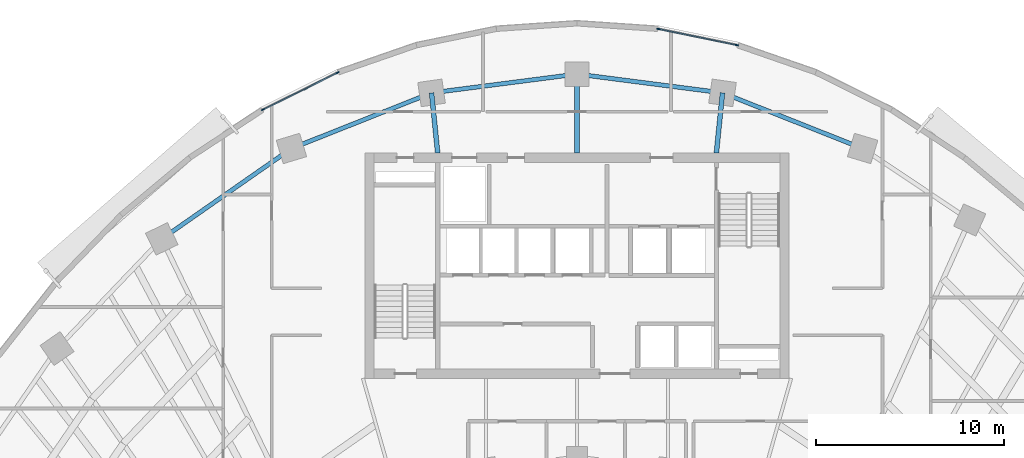
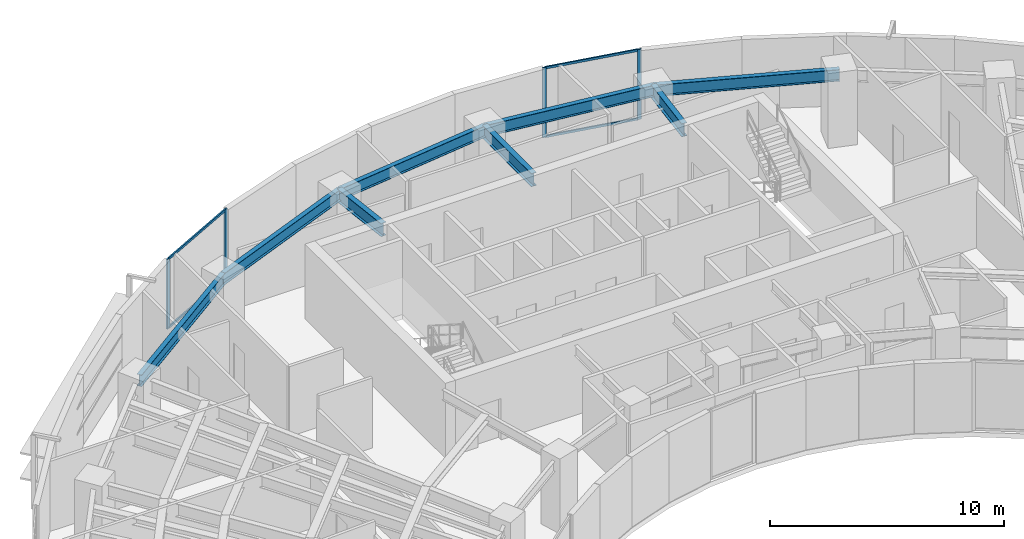
# One storey, part 5 of 14: 8 beams, 8 members, 2 elements without a shape of their own.
"""IFC4 building model written with IfcOpenShell, lengths in metres."""

from ifc_helpers import new_model, si_unit, direction, frame, origin, origin_2d, place, context, subcontext, project, spatial, rectangle, i_section, extrude, source, transform, mapped, material, layer, layer_set, material_profile, profile_set, type_object, element, aggregate, save


model = new_model("IFC4")

# Units and contexts
model_context = context("Model", 3, precision=1e-05, world=origin(), true_north=direction((0.0, 1.0)))
body_context = subcontext(model_context, "Body", "Model", "MODEL_VIEW")
ifc_project = project(units=[si_unit("LENGTHUNIT", "METRE"), si_unit("AREAUNIT", "SQUARE_METRE"), si_unit("VOLUMEUNIT", "CUBIC_METRE"), si_unit("PLANEANGLEUNIT", "RADIAN"), si_unit("MASSUNIT", "GRAM", prefix="KILO")], contexts=[model_context])

# Site, building, storey
site_placement = place(None, origin())
site = spatial("IfcSite", under=ifc_project, at=site_placement, CompositionType="ELEMENT")
building_placement = place(site_placement, origin())
building = spatial("IfcBuilding", under=site, at=building_placement, Name="Breltana Convention Tower", CompositionType="ELEMENT")
storey_placement = place(building_placement, frame((0.0, 0.0, 99.89990234375)))
storey = spatial("IfcBuildingStorey", under=building, at=storey_placement, Name="L23", CompositionType="ELEMENT", Elevation=99.89990234375)

# Beams
ifc_material_1 = material(Name="Steel ASTM A992 Grade 50", Category="steel")
ifc_material_profile_1 = material_profile(ifc_material_1, i_section(OverallWidth=0.25390625, OverallDepth=0.68798828125, WebThickness=0.01318359375, FlangeThickness=0.02099609375, at=origin_2d()), Name="W27X102")
ifc_profile_set_1 = profile_set([ifc_material_profile_1], Name="Steel ASTM A992 Grade 50")
beam_type_1 = type_object("IfcBeamType", Name="BM-RG-W27X102", PredefinedType="USERDEFINED", material=ifc_profile_set_1)
shared_shape_1 = source(origin(), body_context, "Body", "SweptSolid", [
    extrude(i_section(OverallWidth=0.25390625, OverallDepth=0.68798828125, WebThickness=0.01318359375, FlangeThickness=0.02099609375, at=origin_2d()), origin(), (0.0, 0.0, 1.0), 3.220947265625),
])
for number, where, z_axis, x_axis, name in (
    (1, (40.580078125, 72.199951171875, 3.30615234375), (-0.101492254858, 0.994836329355, 0.0), (-0.994836329355, -0.101492254858, 0.0), "L23 North Core Radial Girder R05"),
    (2, (55.419921875, 72.199951171875, 3.30615234375), (0.101492254858, 0.994836329355, 0.0), (-0.994836329355, 0.101492254858, 0.0), "L23 North Core Radial Girder R07"),
):
    element("IfcBeam", number, at=place(storey_placement, frame(where, z_axis=z_axis, x_axis=x_axis)), inside=storey, type_object=beam_type_1, Name=name, ObjectType="GIRDER", PredefinedType="USERDEFINED", context=body_context, shape_type="MappedRepresentation", body=[
        mapped(shared_shape_1, transform((0.0, 0.0, 0.0), scale=1.0)),
    ])
shared_shape_2 = source(origin(), body_context, "Body", "SweptSolid", [
    extrude(i_section(OverallWidth=0.25390625, OverallDepth=0.68798828125, WebThickness=0.01318359375, FlangeThickness=0.02099609375, at=origin_2d()), origin(), (0.0, 0.0, 1.0), 4.2041015625),
])
beam_1_placement = place(storey_placement, frame((48.0, 72.199951171875, 3.30615234375), z_axis=(0.0, 1.0, 0.0), x_axis=(-1.0, 0.0, 0.0)))
element("IfcBeam", 3, at=beam_1_placement, inside=storey, type_object=beam_type_1, Name="L23 North Core Radial Girder R06", ObjectType="GIRDER", PredefinedType="USERDEFINED", context=body_context, shape_type="MappedRepresentation", body=[
    mapped(shared_shape_2, transform((0.0, 0.0, 0.0), scale=1.0)),
])
ifc_material_profile_2 = material_profile(ifc_material_1, i_section(OverallWidth=0.22802734375, OverallDepth=0.60791015625, WebThickness=0.01123046875, FlangeThickness=0.017333984375, at=origin_2d()), Name="W24X76")
ifc_profile_set_2 = profile_set([ifc_material_profile_2], Name="Steel ASTM A992 Grade 50")
beam_type_2 = type_object("IfcBeamType", Name="BM-SP-W24X76", PredefinedType="SPANDREL", material=ifc_profile_set_2)
shared_shape_3 = source(origin(), body_context, "Body", "SweptSolid", [
    extrude(i_section(OverallWidth=0.22802734375, OverallDepth=0.60791015625, WebThickness=0.01123046875, FlangeThickness=0.017333984375, at=origin_2d()), origin(), (0.0, 0.0, 1.0), 8.4169921875),
])
beam_2_placement = place(storey_placement, frame((25.8876953125, 67.626953125, 3.34619140625), z_axis=(0.820173800102, 0.572114444519, 0.0), x_axis=(-0.572114444519, 0.820173800102, 0.0)))
element("IfcBeam", 4, at=beam_2_placement, inside=storey, type_object=beam_type_2, Name="L23 Outer Spandrel Beam 03", PredefinedType="SPANDREL", context=body_context, shape_type="MappedRepresentation", body=[
    mapped(shared_shape_3, transform((0.0, 0.0, 0.0), scale=1.0)),
])
shared_shape_4 = source(origin(), body_context, "Body", "SweptSolid", [
    extrude(i_section(OverallWidth=0.22802734375, OverallDepth=0.60791015625, WebThickness=0.01123046875, FlangeThickness=0.017333984375, at=origin_2d()), origin(), (0.0, 0.0, 1.0), 8.028564453125),
])
for number, where, z_axis, x_axis, name in (
    (5, (32.791015625, 72.4423828125, 3.34619140625), (0.929459100394, 0.368925169507, 0.0), (-0.368925169507, 0.929459100394, 0.0), "L23 Outer Spandrel Beam 04"),
    (6, (55.746826171875, 75.404296875, 3.34619140625), (0.929459100394, -0.368925169507, 0.0), (0.368925169507, 0.929459100394, 0.0), "L23 Outer Spandrel Beam 07"),
):
    element("IfcBeam", number, at=place(storey_placement, frame(where, z_axis=z_axis, x_axis=x_axis)), inside=storey, type_object=beam_type_2, Name=name, PredefinedType="SPANDREL", context=body_context, shape_type="MappedRepresentation", body=[
        mapped(shared_shape_4, transform((0.0, 0.0, 0.0), scale=1.0)),
    ])
shared_shape_5 = source(origin(), body_context, "Body", "SweptSolid", [
    extrude(i_section(OverallWidth=0.22802734375, OverallDepth=0.60791015625, WebThickness=0.01123046875, FlangeThickness=0.017333984375, at=origin_2d()), origin(), (0.0, 0.0, 1.0), 7.81103515625),
])
for number, where, z_axis, x_axis, name in (
    (7, (40.253173828125, 75.404296875, 3.34619140625), (0.991775179127, 0.127992164083, 0.0), (-0.127992164083, 0.991775179127, 0.0), "L23 Outer Spandrel Beam 05"),
    (8, (48.0, 76.404052734375, 3.34619140625), (0.991775179127, -0.127992164083, 0.0), (0.127992164083, 0.991775179127, 0.0), "L23 Outer Spandrel Beam 06"),
):
    element("IfcBeam", number, at=place(storey_placement, frame(where, z_axis=z_axis, x_axis=x_axis)), inside=storey, type_object=beam_type_2, Name=name, PredefinedType="SPANDREL", context=body_context, shape_type="MappedRepresentation", body=[
        mapped(shared_shape_5, transform((0.0, 0.0, 0.0), scale=1.0)),
    ])

# Curtain wall, members
ifc_material_2 = material(Name="Aluminium Anodised Bronze Frame", Category="aluminium")
ifc_layer = layer(ifc_material_2, 0.22998046875, Name="Aluminium Anodised Bronze Frame")
ifc_layer_set = layer_set([ifc_layer], Name="Aluminium Anodised Bronze Frame")
curtain_wall_type = type_object("IfcCurtainWallType", Name="CW-SYS-5", PredefinedType="NOTDEFINED", material=ifc_layer_set)
curtain_wall_1_placement = place(storey_placement, origin())
curtain_wall_1 = element("IfcCurtainWall", 9, at=curtain_wall_1_placement, inside=storey, type_object=curtain_wall_type, Name="L23 outer double-skin inner glazing 2", PredefinedType="NOTDEFINED")
ifc_material_3 = material(Name="Aluminium Anodised Bronze", Category="aluminium")
ifc_material_profile_3 = material_profile(ifc_material_3, rectangle(XDim=0.070068359375, YDim=0.1201171875, at=origin_2d()), Name="CWT-70X120")
ifc_profile_set_3 = profile_set([ifc_material_profile_3], Name="Aluminium Anodised Bronze")
member_type_1 = type_object("IfcMemberType", Name="CWT-120", PredefinedType="USERDEFINED", material=ifc_profile_set_3)
shared_shape_6 = source(origin(), body_context, "Body", "SweptSolid", [
    extrude(rectangle(XDim=0.070068359375, YDim=0.1201171875, at=origin_2d()), origin(), (0.0, 0.0, 1.0), 4.365478515625),
])
member_1_placement = place(storey_placement, frame((31.3115234375, 74.52734375, 0.03515625), z_axis=(0.89595425125, 0.44414634938, 0.0), x_axis=(-0.44414634938, 0.89595425125, 0.0)))
member_1 = element("IfcMember", 10, at=member_1_placement, type_object=member_type_1, Name="CW-05 transom 1.1", ObjectType="TRANSOM", PredefinedType="USERDEFINED", context=body_context, shape_type="MappedRepresentation", body=[
    mapped(shared_shape_6, transform((0.0, 0.0, 0.0), scale=1.0)),
])
member_2_placement = place(storey_placement, frame((31.3115234375, 74.52734375, 3.614990234375), z_axis=(0.89595425125, 0.44414634938, 0.0), x_axis=(-0.44414634938, 0.89595425125, 0.0)))
member_2 = element("IfcMember", 11, at=member_2_placement, type_object=member_type_1, Name="CW-05 transom 1.2", ObjectType="TRANSOM", PredefinedType="USERDEFINED", context=body_context, shape_type="MappedRepresentation", body=[
    mapped(shared_shape_6, transform((0.0, 0.0, 0.0), scale=1.0)),
])

curtain_wall_2_placement = place(storey_placement, origin())
curtain_wall_2 = element("IfcCurtainWall", 12, at=curtain_wall_2_placement, inside=storey, type_object=curtain_wall_type, Name="L23 outer double-skin inner glazing 3", PredefinedType="NOTDEFINED")
shared_shape_7 = source(origin(), body_context, "Body", "SweptSolid", [
    extrude(rectangle(XDim=0.070068359375, YDim=0.1201171875, at=origin_2d()), origin(), (0.0, 0.0, 1.0), 4.200927734375),
])
member_3_placement = place(storey_placement, frame((52.364501953125, 78.798828125, 0.03515625), z_axis=(0.979621469833, -0.200852622196, 0.0), x_axis=(0.200852622196, 0.979621469833, 0.0)))
member_3 = element("IfcMember", 13, at=member_3_placement, type_object=member_type_1, Name="CW-05 transom 1.1", ObjectType="TRANSOM", PredefinedType="USERDEFINED", context=body_context, shape_type="MappedRepresentation", body=[
    mapped(shared_shape_7, transform((0.0, 0.0, 0.0), scale=1.0)),
])
member_4_placement = place(storey_placement, frame((52.364501953125, 78.798828125, 3.614990234375), z_axis=(0.979621469833, -0.200852622196, 0.0), x_axis=(0.200852622196, 0.979621469833, 0.0)))
member_4 = element("IfcMember", 14, at=member_4_placement, type_object=member_type_1, Name="CW-05 transom 1.2", ObjectType="TRANSOM", PredefinedType="USERDEFINED", context=body_context, shape_type="MappedRepresentation", body=[
    mapped(shared_shape_7, transform((0.0, 0.0, 0.0), scale=1.0)),
])

# Member
ifc_material_profile_4 = material_profile(ifc_material_3, rectangle(XDim=0.070068359375, YDim=0.175048828125, at=origin_2d()), Name="CWM-70X175")
ifc_profile_set_4 = profile_set([ifc_material_profile_4], Name="Aluminium Anodised Bronze")
member_type_2 = type_object("IfcMemberType", Name="CWM-175", PredefinedType="MULLION", material=ifc_profile_set_4)
shared_shape_8 = source(origin(), body_context, "Body", "SweptSolid", [
    extrude(rectangle(XDim=0.070068359375, YDim=0.175048828125, at=origin_2d()), origin(), (0.0, 0.0, 1.0), 3.650146484375),
])
member_5_placement = place(storey_placement, frame((31.280029296875, 74.511962890625, 0.0), z_axis=(0.0, 0.0, 1.0), x_axis=(-0.444121541007, 0.895966548937, 0.0)))
member_5 = element("IfcMember", 15, at=member_5_placement, type_object=member_type_2, Name="CW-05 mullion 1", PredefinedType="MULLION", context=body_context, shape_type="MappedRepresentation", body=[
    mapped(shared_shape_8, transform((0.0, 0.0, 0.0), scale=1.0)),
])

member_6_placement = place(storey_placement, frame((35.25439453125, 76.48193359375, 0.0), z_axis=(0.0, 0.0, 1.0), x_axis=(-0.444121541007, 0.895966548937, 0.0)))
member_6 = element("IfcMember", 16, at=member_6_placement, type_object=member_type_2, Name="CW-05 mullion 2", PredefinedType="MULLION", context=body_context, shape_type="MappedRepresentation", body=[
    mapped(shared_shape_8, transform((0.0, 0.0, 0.0), scale=1.0)),
])

aggregate(curtain_wall_1, [member_5, member_6, member_1, member_2])

member_7_placement = place(storey_placement, frame((52.330078125, 78.805908203125, 0.0), z_axis=(0.0, 0.0, 1.0), x_axis=(0.200858550415, 0.979620254346, 0.0)))
member_7 = element("IfcMember", 17, at=member_7_placement, type_object=member_type_2, Name="CW-05 mullion 1", PredefinedType="MULLION", context=body_context, shape_type="MappedRepresentation", body=[
    mapped(shared_shape_8, transform((0.0, 0.0, 0.0), scale=1.0)),
])

member_8_placement = place(storey_placement, frame((56.513916015625, 77.947998046875, 0.0), z_axis=(0.0, 0.0, 1.0), x_axis=(0.200858550415, 0.979620254346, 0.0)))
member_8 = element("IfcMember", 18, at=member_8_placement, type_object=member_type_2, Name="CW-05 mullion 2", PredefinedType="MULLION", context=body_context, shape_type="MappedRepresentation", body=[
    mapped(shared_shape_8, transform((0.0, 0.0, 0.0), scale=1.0)),
])

aggregate(curtain_wall_2, [member_7, member_8, member_3, member_4])

save(model, "model.ifc")
